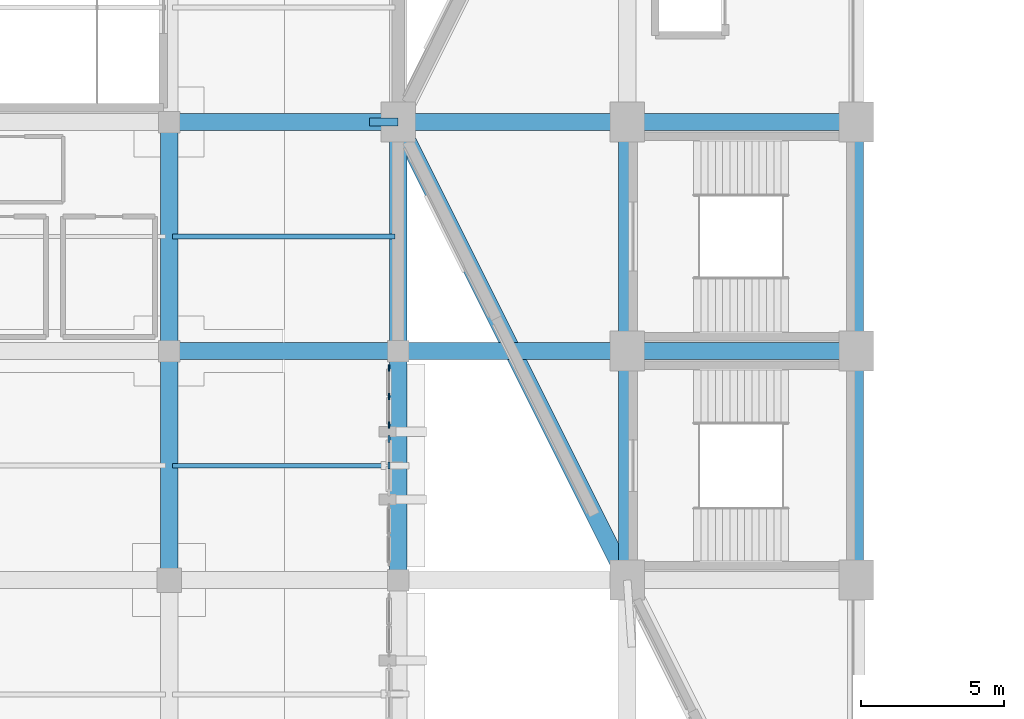
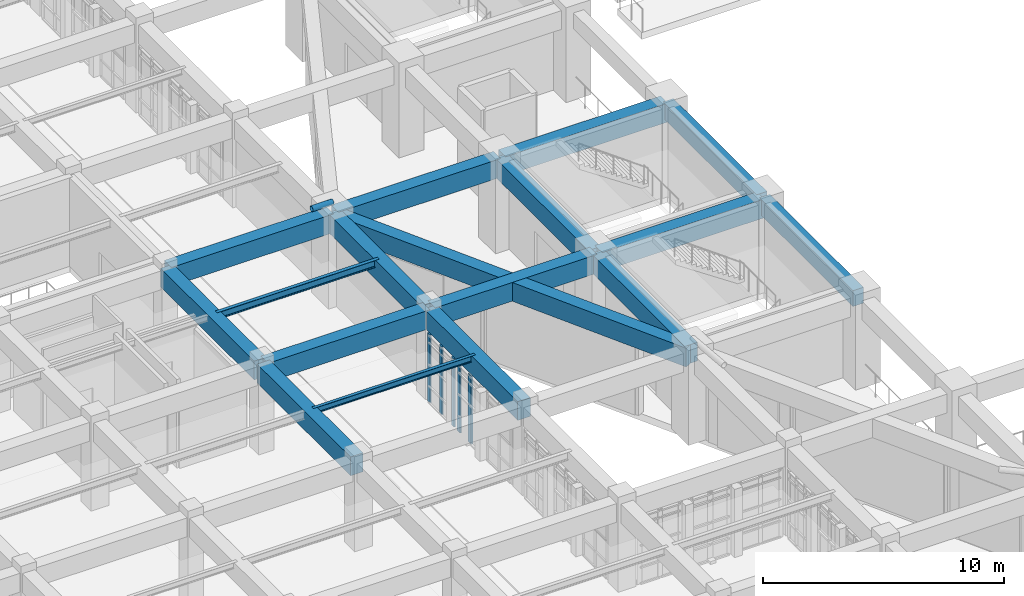
# One storey, part 17 of 155: 17 beams, 6 members, 2 elements without a shape of their own.
"""IFC4 building model written with IfcOpenShell, lengths in metres."""

from ifc_helpers import new_model, si_unit, direction, frame, origin, origin_2d, place, context, subcontext, project, spatial, rectangle, hollow_circle, i_section, extrude, material, layer, layer_set, material_profile, profile_set, type_object, element, aggregate, save


model = new_model("IFC4")

# Units and contexts
model_context = context("Model", 3, precision=1e-05, world=origin(), true_north=direction((0.0, 1.0)))
body_context = subcontext(model_context, "Body", "Model", "MODEL_VIEW")
ifc_project = project(units=[si_unit("LENGTHUNIT", "METRE"), si_unit("AREAUNIT", "SQUARE_METRE"), si_unit("VOLUMEUNIT", "CUBIC_METRE"), si_unit("PLANEANGLEUNIT", "RADIAN"), si_unit("MASSUNIT", "GRAM", prefix="KILO")], contexts=[model_context])

# Site, building, storey
site_placement = place(None, origin())
site = spatial("IfcSite", under=ifc_project, at=site_placement, CompositionType="ELEMENT")
building_placement = place(site_placement, origin())
building = spatial("IfcBuilding", under=site, at=building_placement, Name="Tazarka Park Arena", CompositionType="ELEMENT")
storey_placement = place(building_placement, frame((0.0, 0.0, 5.39990234375)))
storey = spatial("IfcBuildingStorey", under=building, at=storey_placement, Name="L01", CompositionType="ELEMENT", Elevation=5.39990234375)

# Beams
ifc_material_1 = material(Name="Concrete C40/50", Category="concrete")
ifc_material_profile_1 = material_profile(ifc_material_1, rectangle(XDim=0.60009765625, YDim=0.949951171875, at=origin_2d()), Name="Concrete C40/50")
ifc_profile_set_1 = profile_set([ifc_material_profile_1], Name="Concrete C40/50")
beam_type_1 = type_object("IfcBeamType", Name="BM-B-03", PredefinedType="BEAM", material=ifc_profile_set_1)
for number, where, z_axis, x_axis, name in (
    (1, (32.0, 48.1201171875, 3.945068359375), (0.0, 1.0, 0.0), (-1.0, 0.0, 0.0), "GYM-L01-04-06"),
    (2, (32.1201171875, 56.0, 3.945068359375), (1.0, 0.0, 0.0), (0.0, 1.0, 0.0), "GXM-L01-04-07"),
    (3, (32.0, 56.1201171875, 3.945068359375), (0.0, 1.0, 0.0), (-1.0, 0.0, 0.0), "GYM-L01-04-07"),
    (4, (32.1201171875, 64.0, 3.945068359375), (1.0, 0.0, 0.0), (0.0, 1.0, 0.0), "GXM-L01-04-08"),
    (5, (40.0, 48.1201171875, 3.945068359375), (0.0, 1.0, 0.0), (-1.0, 0.0, 0.0), "GYM-L01-05-06"),
    (6, (40.1201171875, 56.0, 3.945068359375), (1.0, 0.0, 0.0), (0.0, 1.0, 0.0), "GXM-L01-05-07"),
    (7, (40.0, 56.1201171875, 3.945068359375), (0.0, 1.0, 0.0), (-1.0, 0.0, 0.0), "GYM-L01-05-07"),
    (8, (40.1201171875, 64.0, 3.945068359375), (1.0, 0.0, 0.0), (0.0, 1.0, 0.0), "GXM-L01-05-08"),
    (9, (48.0, 48.1201171875, 3.945068359375), (0.0, 1.0, 0.0), (-1.0, 0.0, 0.0), "GYM-L01-06-06"),
    (10, (48.1201171875, 56.0, 3.945068359375), (1.0, 0.0, 0.0), (0.0, 1.0, 0.0), "GXM-L01-06-07"),
    (11, (48.0, 56.1201171875, 3.945068359375), (0.0, 1.0, 0.0), (-1.0, 0.0, 0.0), "GYM-L01-06-07"),
    (12, (48.1201171875, 64.0, 3.945068359375), (1.0, 0.0, 0.0), (0.0, 1.0, 0.0), "GXM-L01-06-08"),
):
    element("IfcBeam", number, at=place(storey_placement, frame(where, z_axis=z_axis, x_axis=x_axis)), inside=storey, type_object=beam_type_1, Name=name, PredefinedType="BEAM", context=body_context, shape_type="SweptSolid", body=[
        extrude(rectangle(XDim=0.60009765625, YDim=0.949951171875, at=origin_2d()), origin(), (0.0, 0.0, 1.0), 7.759765625),
    ])
ifc_material_2 = material(Name="Steel S355", Category="steel")
ifc_material_profile_2 = material_profile(ifc_material_2, i_section(OverallWidth=0.14990234375, OverallDepth=0.300048828125, WebThickness=0.007080078125, FlangeThickness=0.0107421875, FilletRadius=0.014892578125, at=origin_2d()), Name="Steel S355")
ifc_profile_set_2 = profile_set([ifc_material_profile_2], Name="Steel S355")
beam_type_2 = type_object("IfcBeamType", Name="BM-J-01", PredefinedType="JOIST", material=ifc_profile_set_2)
beam_1_placement = place(storey_placement, frame((32.1201171875, 52.0, 4.27001953125), z_axis=(1.0, 0.0, 0.0), x_axis=(0.0, 1.0, 0.0)))
element("IfcBeam", 13, at=beam_1_placement, inside=storey, type_object=beam_type_2, Name="JST-L01-04-06", PredefinedType="JOIST", context=body_context, shape_type="SweptSolid", body=[
    extrude(i_section(OverallWidth=0.14990234375, OverallDepth=0.300048828125, WebThickness=0.007080078125, FlangeThickness=0.0107421875, FilletRadius=0.014892578125, at=origin_2d()), origin(), (0.0, 0.0, 1.0), 7.759765625),
])
ifc_material_3 = material(Name="Steel S355", Category="steel")
ifc_material_profile_3 = material_profile(ifc_material_3, i_section(OverallWidth=0.169921875, OverallDepth=0.360107421875, WebThickness=0.008056640625, FlangeThickness=0.0126953125, FilletRadius=0.01806640625, at=origin_2d()), Name="Steel S355")
ifc_profile_set_3 = profile_set([ifc_material_profile_3], Name="Steel S355")
beam_type_3 = type_object("IfcBeamType", Name="BM-J-02", PredefinedType="JOIST", material=ifc_profile_set_3)
beam_2_placement = place(storey_placement, frame((32.1201171875, 60.0, 4.239990234375), z_axis=(1.0, 0.0, 0.0), x_axis=(0.0, 1.0, 0.0)))
element("IfcBeam", 14, at=beam_2_placement, inside=storey, type_object=beam_type_3, Name="JST-L01-04-07", PredefinedType="JOIST", context=body_context, shape_type="SweptSolid", body=[
    extrude(i_section(OverallWidth=0.169921875, OverallDepth=0.360107421875, WebThickness=0.008056640625, FlangeThickness=0.0126953125, FilletRadius=0.01806640625, at=origin_2d()), origin(), (0.0, 0.0, 1.0), 7.759765625),
])
ifc_material_4 = material(Name="Concrete C40/50", Category="concrete")
ifc_material_profile_4 = material_profile(ifc_material_4, rectangle(XDim=0.5, YDim=0.800048828125, at=origin_2d()), Name="Concrete C40/50")
ifc_profile_set_4 = profile_set([ifc_material_profile_4], Name="Concrete C40/50")
beam_type_4 = type_object("IfcBeamType", Name="BM-SP-01", PredefinedType="SPANDREL", material=ifc_profile_set_4)
for number, where, z_axis, x_axis, name in (
    (15, (56.0, 48.1201171875, 4.02001953125), (0.0, 1.0, 0.0), (-1.0, 0.0, 0.0), "GYM-L01-07-06"),
    (16, (56.0, 56.1201171875, 4.02001953125), (0.0, 1.0, 0.0), (-1.0, 0.0, 0.0), "GYM-L01-07-07"),
):
    element("IfcBeam", number, at=place(storey_placement, frame(where, z_axis=z_axis, x_axis=x_axis)), inside=storey, type_object=beam_type_4, Name=name, PredefinedType="SPANDREL", context=body_context, shape_type="SweptSolid", body=[
        extrude(rectangle(XDim=0.5, YDim=0.800048828125, at=origin_2d()), origin(), (0.0, 0.0, 1.0), 7.759765625),
    ])
ifc_material_5 = material(Name="Concrete C40/50", Category="concrete")
ifc_material_profile_5 = material_profile(ifc_material_5, rectangle(XDim=0.60009765625, YDim=0.949951171875, at=origin_2d()), Name="Concrete C40/50")
ifc_profile_set_5 = profile_set([ifc_material_profile_5], Name="Concrete C40/50")
beam_type_5 = type_object("IfcBeamType", Name="BM-SP-03", PredefinedType="SPANDREL", material=ifc_profile_set_5)
beam_3_placement = place(storey_placement, frame((40.0537109375, 63.892578125, 3.945068359375), z_axis=(0.4472135955, -0.894427191, 0.0), x_axis=(0.894427191, 0.4472135955, 0.0)))
element("IfcBeam", 17, at=beam_3_placement, inside=storey, type_object=beam_type_5, Name="RING BEAM SP-03-L01-22", PredefinedType="SPANDREL", context=body_context, shape_type="SweptSolid", body=[
    extrude(rectangle(XDim=0.60009765625, YDim=0.949951171875, at=origin_2d()), origin(), (0.0, 0.0, 1.0), 17.6484375),
])

# Curtain wall, members
ifc_material_6 = material(Name="Aluminium and low-e glass", Category="aluminium")
ifc_layer_1 = layer(ifc_material_6, 0.179931640625, Name="Aluminium and low-e glass")
ifc_layer_set_1 = layer_set([ifc_layer_1], Name="Aluminium and low-e glass")
curtain_wall_type_1 = type_object("IfcCurtainWallType", Name="CW-16", PredefinedType="NOTDEFINED", material=ifc_layer_set_1)
curtain_wall_1_placement = place(storey_placement, origin())
curtain_wall_1 = element("IfcCurtainWall", 18, at=curtain_wall_1_placement, inside=storey, type_object=curtain_wall_type_1, Name="Curtain Wall CWA-L01-106", PredefinedType="NOTDEFINED")
ifc_material_7 = material(Name="Aluminium 6060-T66", Category="aluminium")
ifc_material_profile_6 = material_profile(ifc_material_7, rectangle(XDim=0.06494140625, YDim=0.219970703125, at=origin_2d()), Name="Aluminium 6060-T66")
ifc_profile_set_6 = profile_set([ifc_material_profile_6], Name="Aluminium 6060-T66")
member_type_1 = type_object("IfcMemberType", Name="CWM-02", PredefinedType="MULLION", material=ifc_profile_set_6)
member_1_placement = place(storey_placement, frame((39.679931640625, 55.41259765625, 0.0), z_axis=(0.0, 0.0, 1.0), x_axis=(1.0, 0.0, 0.0)))
member_1 = element("IfcMember", 19, at=member_1_placement, type_object=member_type_1, Name="CW-16 mullion 1", PredefinedType="MULLION", context=body_context, shape_type="SweptSolid", body=[
    extrude(rectangle(XDim=0.06494140625, YDim=0.219970703125, at=origin_2d()), origin(), (0.0, 0.0, 1.0), 3.4501953125),
])
member_2_placement = place(storey_placement, frame((39.679931640625, 54.41845703125, 0.0), z_axis=(0.0, 0.0, 1.0), x_axis=(1.0, 0.0, 0.0)))
member_2 = element("IfcMember", 20, at=member_2_placement, type_object=member_type_1, Name="CW-16 mullion 2", PredefinedType="MULLION", context=body_context, shape_type="SweptSolid", body=[
    extrude(rectangle(XDim=0.06494140625, YDim=0.219970703125, at=origin_2d()), origin(), (0.0, 0.0, 1.0), 3.4501953125),
])
member_3_placement = place(storey_placement, frame((39.679931640625, 53.42431640625, 0.0), z_axis=(0.0, 0.0, 1.0), x_axis=(1.0, 0.0, 0.0)))
member_3 = element("IfcMember", 21, at=member_3_placement, type_object=member_type_1, Name="CW-16 mullion 3", PredefinedType="MULLION", context=body_context, shape_type="SweptSolid", body=[
    extrude(rectangle(XDim=0.06494140625, YDim=0.219970703125, at=origin_2d()), origin(), (0.0, 0.0, 1.0), 3.4501953125),
])
aggregate(curtain_wall_1, [member_1, member_2, member_3])

ifc_material_8 = material(Name="Aluminium and low-e glass", Category="aluminium")
ifc_layer_2 = layer(ifc_material_8, 0.179931640625, Name="Aluminium and low-e glass")
ifc_layer_set_2 = layer_set([ifc_layer_2], Name="Aluminium and low-e glass")
curtain_wall_type_2 = type_object("IfcCurtainWallType", Name="CW-17", PredefinedType="NOTDEFINED", material=ifc_layer_set_2)
curtain_wall_2_placement = place(storey_placement, origin())
curtain_wall_2 = element("IfcCurtainWall", 22, at=curtain_wall_2_placement, inside=storey, type_object=curtain_wall_type_2, Name="Curtain Wall CWA-L01-107", PredefinedType="NOTDEFINED")
ifc_material_9 = material(Name="Aluminium 6060-T66", Category="aluminium")
ifc_material_profile_7 = material_profile(ifc_material_9, rectangle(XDim=0.074951171875, YDim=0.25, at=origin_2d()), Name="Aluminium 6060-T66")
ifc_profile_set_7 = profile_set([ifc_material_profile_7], Name="Aluminium 6060-T66")
member_type_2 = type_object("IfcMemberType", Name="CWM-03", PredefinedType="MULLION", material=ifc_profile_set_7)
member_4_placement = place(storey_placement, frame((39.679931640625, 52.93408203125, 0.0), z_axis=(0.0, 0.0, 1.0), x_axis=(1.0, 0.0, 0.0)))
member_4 = element("IfcMember", 23, at=member_4_placement, type_object=member_type_2, Name="CW-17 mullion 1", PredefinedType="MULLION", context=body_context, shape_type="SweptSolid", body=[
    extrude(rectangle(XDim=0.074951171875, YDim=0.25, at=origin_2d()), origin(), (0.0, 0.0, 1.0), 3.4501953125),
])
member_5_placement = place(storey_placement, frame((39.679931640625, 52.0, 0.0), z_axis=(0.0, 0.0, 1.0), x_axis=(1.0, 0.0, 0.0)))
member_5 = element("IfcMember", 24, at=member_5_placement, type_object=member_type_2, Name="CW-17 mullion 2", PredefinedType="MULLION", context=body_context, shape_type="SweptSolid", body=[
    extrude(rectangle(XDim=0.074951171875, YDim=0.25, at=origin_2d()), origin(), (0.0, 0.0, 1.0), 3.4501953125),
])
aggregate(curtain_wall_2, [member_4, member_5])

# Member
ifc_material_10 = material(Name="Steel S355", Category="steel")
ifc_material_profile_8 = material_profile(ifc_material_10, hollow_circle(Radius=0.136474609375, WallThickness=0.012451171875, at=origin_2d()), Name="Steel S355")
ifc_profile_set_8 = profile_set([ifc_material_profile_8], Name="Steel S355")
member_type_3 = type_object("IfcMemberType", Name="MEM-SR-01", PredefinedType="STRUT", material=ifc_profile_set_8)
member_6_placement = place(storey_placement, frame((40.0, 64.0, 4.800048828125), z_axis=(-1.0, 0.0, 0.0), x_axis=(0.0, -1.0, 0.0)))
element("IfcMember", 25, at=member_6_placement, inside=storey, type_object=member_type_3, Name="FSB-21", PredefinedType="STRUT", context=body_context, shape_type="SweptSolid", body=[
    extrude(hollow_circle(Radius=0.136474609375, WallThickness=0.012451171875, at=origin_2d()), origin(), (0.0, 0.0, 1.0), 1.006103515625),
])

save(model, "model.ifc")
